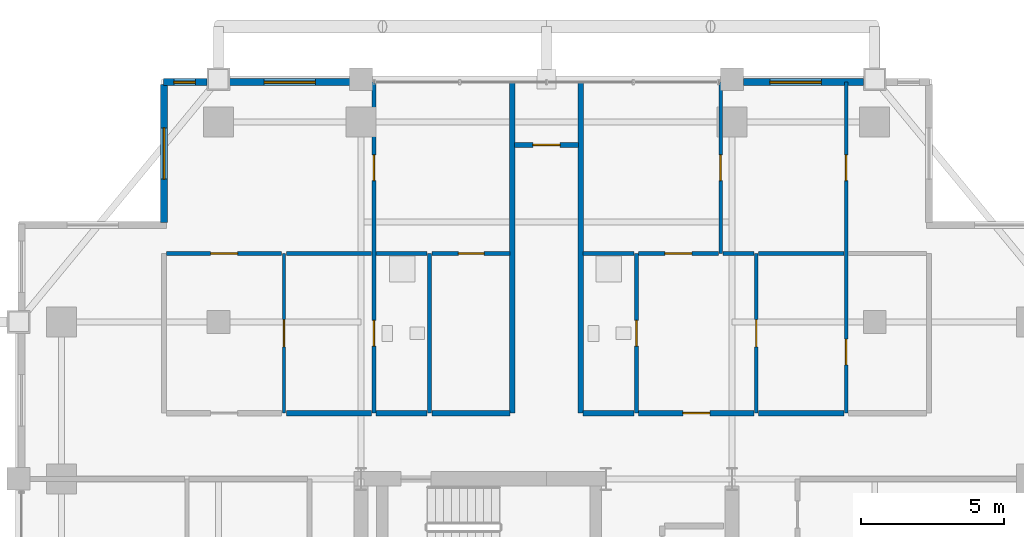
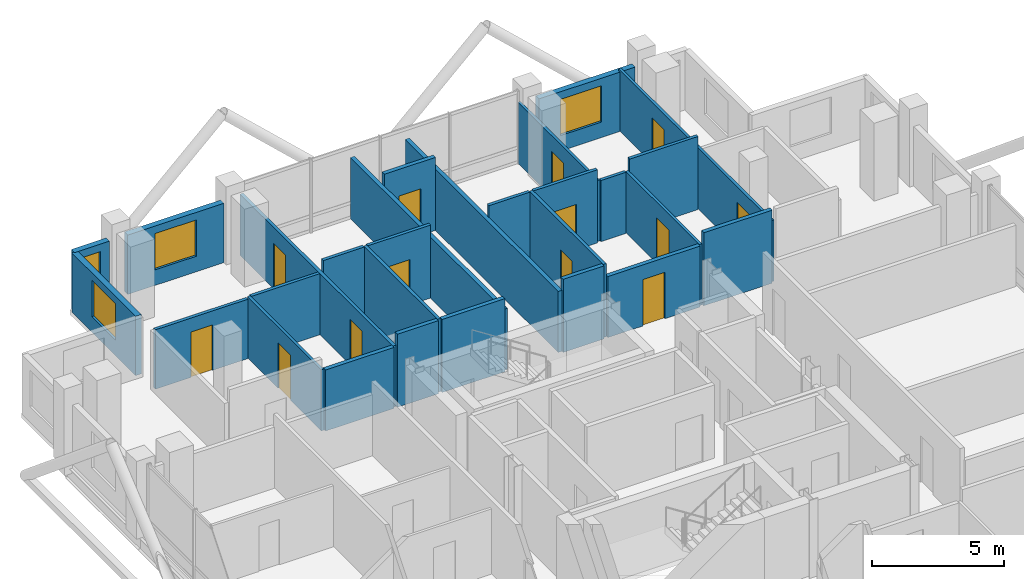
# One storey, part 23 of 26: 28 walls, 13 doors, 4 windows, 17 openings.
"""IFC4 building model written with IfcOpenShell, lengths in metres."""

from ifc_helpers import new_model, si_unit, direction, frame, frame_2d, origin, place, context, subcontext, project, spatial, rectangle, extrude, material, layer, layer_set, type_object, element, fill, save


model = new_model("IFC4")

# Units and contexts
model_context = context("Model", 3, precision=1e-05, world=origin(), true_north=direction((0.0, 1.0)))
body_context = subcontext(model_context, "Body", "Model", "MODEL_VIEW")
ifc_project = project(units=[si_unit("LENGTHUNIT", "METRE"), si_unit("AREAUNIT", "SQUARE_METRE"), si_unit("VOLUMEUNIT", "CUBIC_METRE"), si_unit("PLANEANGLEUNIT", "RADIAN"), si_unit("MASSUNIT", "GRAM", prefix="KILO")], contexts=[model_context])

# Site, building, storey
site_placement = place(None, origin())
site = spatial("IfcSite", under=ifc_project, at=site_placement, CompositionType="ELEMENT")
building_placement = place(site_placement, origin())
building = spatial("IfcBuilding", under=site, at=building_placement, Name="Barlavira Tower and Art Museum", CompositionType="ELEMENT")
storey_placement = place(building_placement, frame((0.0, 0.0, 187.199951171875)))
storey = spatial("IfcBuildingStorey", under=building, at=storey_placement, Name="L48", CompositionType="ELEMENT", Elevation=187.199951171875)

# Wall, opening, door
ifc_material_1 = material(Name="Gypsum acoustic stud partition", Category="gypsum")
ifc_layer_1 = layer(ifc_material_1, 0.1201171875, Name="Gypsum acoustic stud partition")
ifc_layer_set_1 = layer_set([ifc_layer_1], Name="Gypsum acoustic stud partition")
wall_type_1 = type_object("IfcWallType", Name="Apartment Internal Acoustic Partition 120", PredefinedType="PARTITIONING", material=ifc_layer_set_1)
wall_1_placement = place(storey_placement, frame((-9.199951171875, 9.800048828125, 0.0), z_axis=(0.0, 0.0, 1.0), x_axis=(0.0, 1.0, 0.0)))
wall_1 = element("IfcWall", 1, at=wall_1_placement, inside=storey, type_object=wall_type_1, Name="L48 Partition Wall 3", PredefinedType="PARTITIONING", context=body_context, shape_type="SweptSolid", body=[
    extrude(rectangle(XDim=5.599853515625, YDim=0.1201171875, at=frame_2d((2.7998046875, 0.0))), origin(), (0.0, 0.0, 1.0), 2.825927734375),
])
opening_1_placement = place(wall_1_placement, frame((2.324951171875, 0.0, 0.0)))
opening_1 = element("IfcOpeningElement", 2, at=opening_1_placement, cuts=wall_1, Name="Opening D-02", PredefinedType="OPENING", context=body_context, shape_type="SweptSolid", body=[
    extrude(rectangle(XDim=0.949951171875, YDim=2.10009765625, at=frame_2d((0.47509765625, 1.050048828125))), frame((0.0, 0.070068359375, 0.0), z_axis=(0.0, -1.0, 0.0), x_axis=(1.0, 0.0, 0.0)), (0.0, 0.0, 1.0), 0.14013671875),
])
ifc_material_2 = material(Name="Engineered coastal hardwood", Category="wood")
door_type_1 = type_object("IfcDoorType", Name="Living and Salon Glazed-Leaf Door 950x2100", OperationType="NOTDEFINED", PredefinedType="DOOR", material=ifc_material_2)
door_1_placement = place(opening_1_placement, origin())
door_1 = element("IfcDoor", 3, at=door_1_placement, inside=storey, type_object=door_type_1, Name="Apartment NW1 Kitchen Door", OperationType="SINGLE_SWING_LEFT", OverallHeight=2.10009765625, OverallWidth=0.949951171875, PredefinedType="DOOR", context=body_context, shape_type="SweptSolid", body=[
    extrude(rectangle(XDim=0.949951171875, YDim=2.10009765625, at=frame_2d((0.47509765625, 1.050048828125))), frame((0.0, 0.02490234375, 0.0), z_axis=(0.0, -1.0, 0.0), x_axis=(1.0, 0.0, 0.0)), (0.0, 0.0, 1.0), 0.050048828125),
])
fill(opening_1, door_1)

wall_2_placement = place(storey_placement, frame((6.10009765625, 15.39990234375, 0.0), z_axis=(0.0, 0.0, 1.0), x_axis=(0.0, 1.0, 0.0)))
wall_2 = element("IfcWall", 4, at=wall_2_placement, inside=storey, type_object=wall_type_1, Name="L48 Partition Wall 19", PredefinedType="PARTITIONING", context=body_context, shape_type="SweptSolid", body=[
    extrude(rectangle(XDim=6.0, YDim=0.1201171875, at=frame_2d((3.0, 0.0))), origin(), (0.0, 0.0, 1.0), 2.825927734375),
])
opening_2_placement = place(wall_2_placement, frame((2.550048828125, 0.0, 0.0)))
opening_2 = element("IfcOpeningElement", 5, at=opening_2_placement, cuts=wall_2, Name="Opening D-01", PredefinedType="OPENING", context=body_context, shape_type="SweptSolid", body=[
    extrude(rectangle(XDim=0.89990234375, YDim=2.10009765625, at=frame_2d((0.449951171875, 1.050048828125))), frame((0.0, 0.070068359375, 0.0), z_axis=(0.0, -1.0, 0.0), x_axis=(1.0, 0.0, 0.0)), (0.0, 0.0, 1.0), 0.14013671875),
])
door_type_2 = type_object("IfcDoorType", Name="Internal Bedroom Timber Flush Door 900x2100", OperationType="NOTDEFINED", PredefinedType="DOOR", material=ifc_material_2)
door_2_placement = place(opening_2_placement, origin())
door_2 = element("IfcDoor", 6, at=door_2_placement, inside=storey, type_object=door_type_2, Name="Apartment NE1 Bedroom 1 Door", OperationType="SINGLE_SWING_LEFT", OverallHeight=2.10009765625, OverallWidth=0.89990234375, PredefinedType="DOOR", context=body_context, shape_type="SweptSolid", body=[
    extrude(rectangle(XDim=0.89990234375, YDim=2.10009765625, at=frame_2d((0.449951171875, 1.050048828125))), frame((0.0, 0.02490234375, 0.0), z_axis=(0.0, -1.0, 0.0), x_axis=(1.0, 0.0, 0.0)), (0.0, 0.0, 1.0), 0.050048828125),
])
fill(opening_2, door_2)

wall_3_placement = place(storey_placement, frame((7.35009765625, 9.800048828125, 0.0), z_axis=(0.0, 0.0, 1.0), x_axis=(0.0, 1.0, 0.0)))
wall_3 = element("IfcWall", 7, at=wall_3_placement, inside=storey, type_object=wall_type_1, Name="L48 Partition Wall 21", PredefinedType="PARTITIONING", context=body_context, shape_type="SweptSolid", body=[
    extrude(rectangle(XDim=5.599853515625, YDim=0.1201171875, at=frame_2d((2.7998046875, 0.0))), origin(), (0.0, 0.0, 1.0), 2.825927734375),
])
opening_3_placement = place(wall_3_placement, frame((2.324951171875, 0.0, 0.0)))
opening_3 = element("IfcOpeningElement", 8, at=opening_3_placement, cuts=wall_3, Name="Opening D-02", PredefinedType="OPENING", context=body_context, shape_type="SweptSolid", body=[
    extrude(rectangle(XDim=0.949951171875, YDim=2.10009765625, at=frame_2d((0.47509765625, 1.050048828125))), frame((0.0, 0.070068359375, 0.0), z_axis=(0.0, -1.0, 0.0), x_axis=(1.0, 0.0, 0.0)), (0.0, 0.0, 1.0), 0.14013671875),
])
door_3_placement = place(opening_3_placement, origin())
door_3 = element("IfcDoor", 9, at=door_3_placement, inside=storey, type_object=door_type_1, Name="Apartment NE1 Kitchen Door", OperationType="SINGLE_SWING_RIGHT", OverallHeight=2.10009765625, OverallWidth=0.949951171875, PredefinedType="DOOR", context=body_context, shape_type="SweptSolid", body=[
    extrude(rectangle(XDim=0.949951171875, YDim=2.10009765625, at=frame_2d((0.47509765625, 1.050048828125))), frame((0.0, 0.02490234375, 0.0), z_axis=(0.0, -1.0, 0.0), x_axis=(1.0, 0.0, 0.0)), (0.0, 0.0, 1.0), 0.050048828125),
])
fill(opening_3, door_3)

# Wall, openings, doors
wall_4_placement = place(storey_placement, frame((10.5, 9.800048828125, 0.0), z_axis=(0.0, 0.0, 1.0), x_axis=(0.0, 1.0, 0.0)))
wall_4 = element("IfcWall", 10, at=wall_4_placement, inside=storey, type_object=wall_type_1, Name="L48 Partition Wall 24", PredefinedType="PARTITIONING", context=body_context, shape_type="SweptSolid", body=[
    extrude(rectangle(XDim=11.599853515625, YDim=0.1201171875, at=frame_2d((5.7998046875, 0.0))), origin(), (0.0, 0.0, 1.0), 2.825927734375),
])
opening_4_placement = place(wall_4_placement, frame((1.694091796875, 0.0, 0.0)))
opening_4 = element("IfcOpeningElement", 11, at=opening_4_placement, cuts=wall_4, Name="Opening D-01", PredefinedType="OPENING", context=body_context, shape_type="SweptSolid", body=[
    extrude(rectangle(XDim=0.89990234375, YDim=2.10009765625, at=frame_2d((0.449951171875, 1.050048828125))), frame((0.0, 0.070068359375, 0.0), z_axis=(0.0, -1.0, 0.0), x_axis=(1.0, 0.0, 0.0)), (0.0, 0.0, 1.0), 0.14013671875),
])
opening_5_placement = place(wall_4_placement, frame((8.14990234375, 0.0, 0.0)))
opening_5 = element("IfcOpeningElement", 12, at=opening_5_placement, cuts=wall_4, Name="Opening D-01", PredefinedType="OPENING", context=body_context, shape_type="SweptSolid", body=[
    extrude(rectangle(XDim=0.89990234375, YDim=2.10009765625, at=frame_2d((0.449951171875, 1.050048828125))), frame((0.0, 0.070068359375, 0.0), z_axis=(0.0, -1.0, 0.0), x_axis=(1.0, 0.0, 0.0)), (0.0, 0.0, 1.0), 0.14013671875),
])
door_4_placement = place(opening_4_placement, origin())
door_4 = element("IfcDoor", 13, at=door_4_placement, inside=storey, type_object=door_type_2, Name="Apartment NE1 Walk-In Dressing Room Door", OperationType="SINGLE_SWING_LEFT", OverallHeight=2.10009765625, OverallWidth=0.89990234375, PredefinedType="DOOR", context=body_context, shape_type="SweptSolid", body=[
    extrude(rectangle(XDim=0.89990234375, YDim=2.10009765625, at=frame_2d((0.449951171875, 1.050048828125))), frame((0.0, 0.02490234375, 0.0), z_axis=(0.0, -1.0, 0.0), x_axis=(1.0, 0.0, 0.0)), (0.0, 0.0, 1.0), 0.050048828125),
])
fill(opening_4, door_4)
door_5_placement = place(opening_5_placement, origin())
door_5 = element("IfcDoor", 14, at=door_5_placement, inside=storey, type_object=door_type_2, Name="Apartment NE1 Bedroom 2 Door", OperationType="SINGLE_SWING_RIGHT", OverallHeight=2.10009765625, OverallWidth=0.89990234375, PredefinedType="DOOR", context=body_context, shape_type="SweptSolid", body=[
    extrude(rectangle(XDim=0.89990234375, YDim=2.10009765625, at=frame_2d((0.449951171875, 1.050048828125))), frame((0.0, 0.02490234375, 0.0), z_axis=(0.0, -1.0, 0.0), x_axis=(1.0, 0.0, 0.0)), (0.0, 0.0, 1.0), 0.050048828125),
])
fill(opening_5, door_5)

# Walls
ifc_layer_2 = layer(ifc_material_1, 0.179931640625, Name="Gypsum acoustic stud partition")
ifc_layer_set_2 = layer_set([ifc_layer_2], Name="Gypsum acoustic stud partition")
wall_type_2 = type_object("IfcWallType", Name="Inter-Tenancy Party Partition Wall 180", PredefinedType="PARTITIONING", material=ifc_layer_set_2)
for number, where, z_axis, x_axis, name in (
    (15, (-1.199951171875, 9.800048828125, 0.0), (0.0, 0.0, 1.0), (0.0, 1.0, 0.0), "L48 Partition Wall 12"),
    (16, (1.199951171875, 9.800048828125, 0.0), (0.0, 0.0, 1.0), (0.0, 1.0, 0.0), "L48 Partition Wall 14"),
):
    element("IfcWall", number, at=place(storey_placement, frame(where, z_axis=z_axis, x_axis=x_axis)), inside=storey, type_object=wall_type_2, Name=name, PredefinedType="PARTITIONING", context=body_context, shape_type="SweptSolid", body=[
        extrude(rectangle(XDim=11.599853515625, YDim=0.179931640625, at=frame_2d((5.7998046875, 0.0))), origin(), (0.0, 0.0, 1.0), 2.825927734375),
    ])
wall_5_placement = place(storey_placement, frame((-9.1201171875, 9.800048828125, 0.0), z_axis=(0.0, 0.0, 1.0), x_axis=(1.0, 0.0, 0.0)))
element("IfcWall", 17, at=wall_5_placement, inside=storey, type_object=wall_type_2, Name="L48 Partition Wall 59", PredefinedType="PARTITIONING", context=body_context, shape_type="SweptSolid", body=[
    extrude(rectangle(XDim=2.990234375, YDim=0.179931640625, at=frame_2d((1.4951171875, 0.0))), origin(), (0.0, 0.0, 1.0), 2.825927734375),
])
wall_6_placement = place(storey_placement, frame((-5.969970703125, 9.800048828125, 0.0), z_axis=(0.0, 0.0, 1.0), x_axis=(1.0, 0.0, 0.0)))
element("IfcWall", 18, at=wall_6_placement, inside=storey, type_object=wall_type_2, Name="L48 Partition Wall 60", PredefinedType="PARTITIONING", context=body_context, shape_type="SweptSolid", body=[
    extrude(rectangle(XDim=1.7900390625, YDim=0.179931640625, at=frame_2d((0.89501953125, 0.0))), origin(), (0.0, 0.0, 1.0), 3.380126953125),
])
wall_7_placement = place(storey_placement, frame((-4.02001953125, 9.800048828125, 0.0), z_axis=(0.0, 0.0, 1.0), x_axis=(1.0, 0.0, 0.0)))
element("IfcWall", 19, at=wall_7_placement, inside=storey, type_object=wall_type_2, Name="L48 Partition Wall 61", PredefinedType="PARTITIONING", context=body_context, shape_type="SweptSolid", body=[
    extrude(rectangle(XDim=2.739990234375, YDim=0.179931640625, at=frame_2d((1.3701171875, 0.0))), origin(), (0.0, 0.0, 1.0), 3.380126953125),
])
wall_8_placement = place(storey_placement, frame((1.280029296875, 9.800048828125, 0.0), z_axis=(0.0, 0.0, 1.0), x_axis=(1.0, 0.0, 0.0)))
element("IfcWall", 20, at=wall_8_placement, inside=storey, type_object=wall_type_2, Name="L48 Partition Wall 62", PredefinedType="PARTITIONING", context=body_context, shape_type="SweptSolid", body=[
    extrude(rectangle(XDim=1.7900390625, YDim=0.179931640625, at=frame_2d((0.89501953125, 0.0))), origin(), (0.0, 0.0, 1.0), 3.380126953125),
])

# Wall, opening, door
wall_9_placement = place(storey_placement, frame((3.22998046875, 9.800048828125, 0.0), z_axis=(0.0, 0.0, 1.0), x_axis=(1.0, 0.0, 0.0)))
wall_9 = element("IfcWall", 21, at=wall_9_placement, inside=storey, type_object=wall_type_2, Name="L48 Partition Wall 63", PredefinedType="PARTITIONING", context=body_context, shape_type="SweptSolid", body=[
    extrude(rectangle(XDim=4.0400390625, YDim=0.179931640625, at=frame_2d((2.02001953125, 0.0))), origin(), (0.0, 0.0, 1.0), 2.825927734375),
])
opening_6_placement = place(wall_9_placement, frame((1.544921875, 0.0, 0.0)))
opening_6 = element("IfcOpeningElement", 22, at=opening_6_placement, cuts=wall_9, Name="Opening FD-60", PredefinedType="OPENING", context=body_context, shape_type="SweptSolid", body=[
    extrude(rectangle(XDim=0.949951171875, YDim=2.14990234375, at=frame_2d((0.47509765625, 1.074951171875))), frame((0.0, 0.10009765625, 0.0), z_axis=(0.0, -1.0, 0.0), x_axis=(1.0, 0.0, 0.0)), (0.0, 0.0, 1.0), 0.199951171875),
])
ifc_material_3 = material(Name="Brushed stainless steel", Category="steel")
door_type_3 = type_object("IfcDoorType", Name="Apartment Entrance and Riser Fire Door 950x2150 FD60S", OperationType="NOTDEFINED", PredefinedType="DOOR", material=ifc_material_3)
door_6_placement = place(opening_6_placement, origin())
door_6 = element("IfcDoor", 23, at=door_6_placement, inside=storey, type_object=door_type_3, Name="Apartment Entrance Hall NE1 Door", OperationType="SINGLE_SWING_LEFT", OverallHeight=2.14990234375, OverallWidth=0.949951171875, PredefinedType="DOOR", context=body_context, shape_type="SweptSolid", body=[
    extrude(rectangle(XDim=0.949951171875, YDim=2.14990234375, at=frame_2d((0.47509765625, 1.074951171875))), frame((0.0, 0.02490234375, 0.0), z_axis=(0.0, -1.0, 0.0), x_axis=(1.0, 0.0, 0.0)), (0.0, 0.0, 1.0), 0.050048828125),
])
fill(opening_6, door_6)

# Wall
wall_10_placement = place(storey_placement, frame((7.429931640625, 9.800048828125, 0.0), z_axis=(0.0, 0.0, 1.0), x_axis=(1.0, 0.0, 0.0)))
element("IfcWall", 24, at=wall_10_placement, inside=storey, type_object=wall_type_2, Name="L48 Partition Wall 64", PredefinedType="PARTITIONING", context=body_context, shape_type="SweptSolid", body=[
    extrude(rectangle(XDim=2.989990234375, YDim=0.179931640625, at=frame_2d((1.4951171875, 0.0))), origin(), (0.0, 0.0, 1.0), 3.380126953125),
])

# Wall, opening, door
wall_11_placement = place(storey_placement, frame((-1.1201171875, 19.199951171875, 0.0), z_axis=(0.0, 0.0, 1.0), x_axis=(1.0, 0.0, 0.0)))
wall_11 = element("IfcWall", 25, at=wall_11_placement, inside=storey, type_object=wall_type_2, Name="L48 Partition Wall 75", PredefinedType="PARTITIONING", context=body_context, shape_type="SweptSolid", body=[
    extrude(rectangle(XDim=2.240234375, YDim=0.179931640625, at=frame_2d((1.1201171875, 0.0))), origin(), (0.0, 0.0, 1.0), 3.380126953125),
])
opening_7_placement = place(wall_11_placement, frame((0.64501953125, 0.0, 0.0)))
opening_7 = element("IfcOpeningElement", 26, at=opening_7_placement, cuts=wall_11, Name="Opening FD-60", PredefinedType="OPENING", context=body_context, shape_type="SweptSolid", body=[
    extrude(rectangle(XDim=0.949951171875, YDim=2.14990234375, at=frame_2d((0.47509765625, 1.074951171875))), frame((0.0, 0.10009765625, 0.0), z_axis=(0.0, -1.0, 0.0), x_axis=(1.0, 0.0, 0.0)), (0.0, 0.0, 1.0), 0.199951171875),
])
door_7_placement = place(opening_7_placement, origin())
door_7 = element("IfcDoor", 27, at=door_7_placement, inside=storey, type_object=door_type_3, Name="L48 North Ocean Alcove Door", OperationType="SINGLE_SWING_LEFT", OverallHeight=2.14990234375, OverallWidth=0.949951171875, PredefinedType="DOOR", context=body_context, shape_type="SweptSolid", body=[
    extrude(rectangle(XDim=0.949951171875, YDim=2.14990234375, at=frame_2d((0.47509765625, 1.074951171875))), frame((0.0, 0.02490234375, 0.0), z_axis=(0.0, -1.0, 0.0), x_axis=(1.0, 0.0, 0.0)), (0.0, 0.0, 1.0), 0.050048828125),
])
fill(opening_7, door_7)

# Wall, openings, doors
ifc_layer_3 = layer(ifc_material_1, 0.139892578125, Name="Gypsum acoustic stud partition")
ifc_layer_set_3 = layer_set([ifc_layer_3], Name="Gypsum acoustic stud partition")
wall_type_3 = type_object("IfcWallType", Name="Moisture-Resistant Bathroom Partition 140", PredefinedType="PARTITIONING", material=ifc_layer_set_3)
wall_12_placement = place(storey_placement, frame((-6.050048828125, 9.800048828125, 0.0), z_axis=(0.0, 0.0, 1.0), x_axis=(0.0, 1.0, 0.0)))
wall_12 = element("IfcWall", 28, at=wall_12_placement, inside=storey, type_object=wall_type_3, Name="L48 Partition Wall 7", PredefinedType="PARTITIONING", context=body_context, shape_type="SweptSolid", body=[
    extrude(rectangle(XDim=11.599853515625, YDim=0.139892578125, at=frame_2d((5.7998046875, 0.0))), origin(), (0.0, 0.0, 1.0), 2.825927734375),
])
opening_8_placement = place(wall_12_placement, frame((2.35009765625, 0.0, 0.0)))
opening_8 = element("IfcOpeningElement", 29, at=opening_8_placement, cuts=wall_12, Name="Opening D-WC", PredefinedType="OPENING", context=body_context, shape_type="SweptSolid", body=[
    extrude(rectangle(XDim=0.89990234375, YDim=2.10009765625, at=frame_2d((0.449951171875, 1.050048828125))), frame((0.0, 0.080078125, 0.0), z_axis=(0.0, -1.0, 0.0), x_axis=(1.0, 0.0, 0.0)), (0.0, 0.0, 1.0), 0.159912109375),
])
opening_9_placement = place(wall_12_placement, frame((8.14990234375, 0.0, 0.0)))
opening_9 = element("IfcOpeningElement", 30, at=opening_9_placement, cuts=wall_12, Name="Opening D-01", PredefinedType="OPENING", context=body_context, shape_type="SweptSolid", body=[
    extrude(rectangle(XDim=0.89990234375, YDim=2.10009765625, at=frame_2d((0.449951171875, 1.050048828125))), frame((0.0, 0.080078125, 0.0), z_axis=(0.0, -1.0, 0.0), x_axis=(1.0, 0.0, 0.0)), (0.0, 0.0, 1.0), 0.159912109375),
])
door_type_4 = type_object("IfcDoorType", Name="Accessible Bathroom Flush Door 900x2100", OperationType="NOTDEFINED", PredefinedType="DOOR", material=ifc_material_2)
door_8_placement = place(opening_8_placement, origin())
door_8 = element("IfcDoor", 31, at=door_8_placement, inside=storey, type_object=door_type_4, Name="Apartment NW1 Hall Bathroom Door", OperationType="SINGLE_SWING_RIGHT", OverallHeight=2.10009765625, OverallWidth=0.89990234375, PredefinedType="DOOR", context=body_context, shape_type="SweptSolid", body=[
    extrude(rectangle(XDim=0.89990234375, YDim=2.10009765625, at=frame_2d((0.449951171875, 1.050048828125))), frame((0.0, 0.02490234375, 0.0), z_axis=(0.0, -1.0, 0.0), x_axis=(1.0, 0.0, 0.0)), (0.0, 0.0, 1.0), 0.050048828125),
])
fill(opening_8, door_8)
door_9_placement = place(opening_9_placement, origin())
door_9 = element("IfcDoor", 32, at=door_9_placement, inside=storey, type_object=door_type_2, Name="Apartment NW1 Bedroom 1 Door", OperationType="SINGLE_SWING_LEFT", OverallHeight=2.10009765625, OverallWidth=0.89990234375, PredefinedType="DOOR", context=body_context, shape_type="SweptSolid", body=[
    extrude(rectangle(XDim=0.89990234375, YDim=2.10009765625, at=frame_2d((0.449951171875, 1.050048828125))), frame((0.0, 0.02490234375, 0.0), z_axis=(0.0, -1.0, 0.0), x_axis=(1.0, 0.0, 0.0)), (0.0, 0.0, 1.0), 0.050048828125),
])
fill(opening_9, door_9)

# Wall
wall_13_placement = place(storey_placement, frame((-4.10009765625, 9.800048828125, 0.0), z_axis=(0.0, 0.0, 1.0), x_axis=(0.0, 1.0, 0.0)))
element("IfcWall", 33, at=wall_13_placement, inside=storey, type_object=wall_type_3, Name="L48 Partition Wall 9", PredefinedType="PARTITIONING", context=body_context, shape_type="SweptSolid", body=[
    extrude(rectangle(XDim=5.599853515625, YDim=0.139892578125, at=frame_2d((2.7998046875, 0.0))), origin(), (0.0, 0.0, 1.0), 3.380126953125),
])

# Wall, opening, door
wall_14_placement = place(storey_placement, frame((3.14990234375, 9.800048828125, 0.0), z_axis=(0.0, 0.0, 1.0), x_axis=(0.0, 1.0, 0.0)))
wall_14 = element("IfcWall", 34, at=wall_14_placement, inside=storey, type_object=wall_type_3, Name="L48 Partition Wall 16", PredefinedType="PARTITIONING", context=body_context, shape_type="SweptSolid", body=[
    extrude(rectangle(XDim=5.599853515625, YDim=0.139892578125, at=frame_2d((2.7998046875, 0.0))), origin(), (0.0, 0.0, 1.0), 3.380126953125),
])
opening_10_placement = place(wall_14_placement, frame((2.35009765625, 0.0, 0.0)))
opening_10 = element("IfcOpeningElement", 35, at=opening_10_placement, cuts=wall_14, Name="Opening D-WC", PredefinedType="OPENING", context=body_context, shape_type="SweptSolid", body=[
    extrude(rectangle(XDim=0.89990234375, YDim=2.10009765625, at=frame_2d((0.449951171875, 1.050048828125))), frame((0.0, 0.080078125, 0.0), z_axis=(0.0, -1.0, 0.0), x_axis=(1.0, 0.0, 0.0)), (0.0, 0.0, 1.0), 0.159912109375),
])
door_10_placement = place(opening_10_placement, origin())
door_10 = element("IfcDoor", 36, at=door_10_placement, inside=storey, type_object=door_type_4, Name="Apartment NE1 Hall Bathroom Door", OperationType="SINGLE_SWING_RIGHT", OverallHeight=2.10009765625, OverallWidth=0.89990234375, PredefinedType="DOOR", context=body_context, shape_type="SweptSolid", body=[
    extrude(rectangle(XDim=0.89990234375, YDim=2.10009765625, at=frame_2d((0.449951171875, 1.050048828125))), frame((0.0, 0.02490234375, 0.0), z_axis=(0.0, -1.0, 0.0), x_axis=(1.0, 0.0, 0.0)), (0.0, 0.0, 1.0), 0.050048828125),
])
fill(opening_10, door_10)

wall_15_placement = place(storey_placement, frame((-13.320068359375, 15.39990234375, 0.0), z_axis=(0.0, 0.0, 1.0), x_axis=(1.0, 0.0, 0.0)))
wall_15 = element("IfcWall", 37, at=wall_15_placement, inside=storey, type_object=wall_type_3, Name="L48 Partition Wall 66", PredefinedType="PARTITIONING", context=body_context, shape_type="SweptSolid", body=[
    extrude(rectangle(XDim=4.0400390625, YDim=0.139892578125, at=frame_2d((2.02001953125, 0.0))), origin(), (0.0, 0.0, 1.0), 2.748046875),
])
opening_11_placement = place(wall_15_placement, frame((1.544921875, 0.0, 0.0)))
opening_11 = element("IfcOpeningElement", 38, at=opening_11_placement, cuts=wall_15, Name="Opening D-02", PredefinedType="OPENING", context=body_context, shape_type="SweptSolid", body=[
    extrude(rectangle(XDim=0.949951171875, YDim=2.10009765625, at=frame_2d((0.47509765625, 1.050048828125))), frame((0.0, 0.080078125, 0.0), z_axis=(0.0, -1.0, 0.0), x_axis=(1.0, 0.0, 0.0)), (0.0, 0.0, 1.0), 0.159912109375),
])
door_11_placement = place(opening_11_placement, origin())
door_11 = element("IfcDoor", 39, at=door_11_placement, inside=storey, type_object=door_type_1, Name="Apartment NW1 Living Lounge Door", OperationType="SINGLE_SWING_RIGHT", OverallHeight=2.10009765625, OverallWidth=0.949951171875, PredefinedType="DOOR", context=body_context, shape_type="SweptSolid", body=[
    extrude(rectangle(XDim=0.949951171875, YDim=2.10009765625, at=frame_2d((0.47509765625, 1.050048828125))), frame((0.0, 0.02490234375, 0.0), z_axis=(0.0, -1.0, 0.0), x_axis=(1.0, 0.0, 0.0)), (0.0, 0.0, 1.0), 0.050048828125),
])
fill(opening_11, door_11)

# Walls
wall_16_placement = place(storey_placement, frame((-9.1201171875, 15.39990234375, 0.0), z_axis=(0.0, 0.0, 1.0), x_axis=(1.0, 0.0, 0.0)))
element("IfcWall", 40, at=wall_16_placement, inside=storey, type_object=wall_type_3, Name="L48 Partition Wall 67", PredefinedType="PARTITIONING", context=body_context, shape_type="SweptSolid", body=[
    extrude(rectangle(XDim=2.990234375, YDim=0.139892578125, at=frame_2d((1.4951171875, 0.0))), origin(), (0.0, 0.0, 1.0), 2.825927734375),
])
wall_17_placement = place(storey_placement, frame((-5.969970703125, 15.39990234375, 0.0), z_axis=(0.0, 0.0, 1.0), x_axis=(1.0, 0.0, 0.0)))
element("IfcWall", 41, at=wall_17_placement, inside=storey, type_object=wall_type_3, Name="L48 Partition Wall 68", PredefinedType="PARTITIONING", context=body_context, shape_type="SweptSolid", body=[
    extrude(rectangle(XDim=1.7900390625, YDim=0.139892578125, at=frame_2d((0.89501953125, 0.0))), origin(), (0.0, 0.0, 1.0), 3.380126953125),
])

# Wall, opening, door
wall_18_placement = place(storey_placement, frame((-4.02001953125, 15.39990234375, 0.0), z_axis=(0.0, 0.0, 1.0), x_axis=(1.0, 0.0, 0.0)))
wall_18 = element("IfcWall", 42, at=wall_18_placement, inside=storey, type_object=wall_type_3, Name="L48 Partition Wall 69", PredefinedType="PARTITIONING", context=body_context, shape_type="SweptSolid", body=[
    extrude(rectangle(XDim=2.739990234375, YDim=0.139892578125, at=frame_2d((1.3701171875, 0.0))), origin(), (0.0, 0.0, 1.0), 3.380126953125),
])
opening_12_placement = place(wall_18_placement, frame((0.929931640625, 0.0, 0.0)))
opening_12 = element("IfcOpeningElement", 43, at=opening_12_placement, cuts=wall_18, Name="Opening D-01", PredefinedType="OPENING", context=body_context, shape_type="SweptSolid", body=[
    extrude(rectangle(XDim=0.89990234375, YDim=2.10009765625, at=frame_2d((0.449951171875, 1.050048828125))), frame((0.0, 0.080078125, 0.0), z_axis=(0.0, -1.0, 0.0), x_axis=(1.0, 0.0, 0.0)), (0.0, 0.0, 1.0), 0.159912109375),
])
door_12_placement = place(opening_12_placement, origin())
door_12 = element("IfcDoor", 44, at=door_12_placement, inside=storey, type_object=door_type_2, Name="Apartment NW1 Walk-In Dressing Room Door", OperationType="SINGLE_SWING_LEFT", OverallHeight=2.10009765625, OverallWidth=0.89990234375, PredefinedType="DOOR", context=body_context, shape_type="SweptSolid", body=[
    extrude(rectangle(XDim=0.89990234375, YDim=2.10009765625, at=frame_2d((0.449951171875, 1.050048828125))), frame((0.0, 0.02490234375, 0.0), z_axis=(0.0, -1.0, 0.0), x_axis=(1.0, 0.0, 0.0)), (0.0, 0.0, 1.0), 0.050048828125),
])
fill(opening_12, door_12)

# Wall
wall_19_placement = place(storey_placement, frame((1.280029296875, 15.39990234375, 0.0), z_axis=(0.0, 0.0, 1.0), x_axis=(1.0, 0.0, 0.0)))
element("IfcWall", 45, at=wall_19_placement, inside=storey, type_object=wall_type_3, Name="L48 Partition Wall 70", PredefinedType="PARTITIONING", context=body_context, shape_type="SweptSolid", body=[
    extrude(rectangle(XDim=1.7900390625, YDim=0.139892578125, at=frame_2d((0.89501953125, 0.0))), origin(), (0.0, 0.0, 1.0), 3.380126953125),
])

# Wall, opening, door
wall_20_placement = place(storey_placement, frame((3.22998046875, 15.39990234375, 0.0), z_axis=(0.0, 0.0, 1.0), x_axis=(1.0, 0.0, 0.0)))
wall_20 = element("IfcWall", 46, at=wall_20_placement, inside=storey, type_object=wall_type_3, Name="L48 Partition Wall 71", PredefinedType="PARTITIONING", context=body_context, shape_type="SweptSolid", body=[
    extrude(rectangle(XDim=2.7900390625, YDim=0.139892578125, at=frame_2d((1.39501953125, 0.0))), origin(), (0.0, 0.0, 1.0), 3.380126953125),
])
opening_13_placement = place(wall_20_placement, frame((0.9150390625, 0.0, 0.0)))
opening_13 = element("IfcOpeningElement", 47, at=opening_13_placement, cuts=wall_20, Name="Opening D-02", PredefinedType="OPENING", context=body_context, shape_type="SweptSolid", body=[
    extrude(rectangle(XDim=0.949951171875, YDim=2.10009765625, at=frame_2d((0.47509765625, 1.050048828125))), frame((0.0, 0.080078125, 0.0), z_axis=(0.0, -1.0, 0.0), x_axis=(1.0, 0.0, 0.0)), (0.0, 0.0, 1.0), 0.159912109375),
])
door_13_placement = place(opening_13_placement, origin())
door_13 = element("IfcDoor", 48, at=door_13_placement, inside=storey, type_object=door_type_1, Name="Apartment NE1 Living Lounge Door", OperationType="SINGLE_SWING_RIGHT", OverallHeight=2.10009765625, OverallWidth=0.949951171875, PredefinedType="DOOR", context=body_context, shape_type="SweptSolid", body=[
    extrude(rectangle(XDim=0.949951171875, YDim=2.10009765625, at=frame_2d((0.47509765625, 1.050048828125))), frame((0.0, 0.02490234375, 0.0), z_axis=(0.0, -1.0, 0.0), x_axis=(1.0, 0.0, 0.0)), (0.0, 0.0, 1.0), 0.050048828125),
])
fill(opening_13, door_13)

# Walls
wall_21_placement = place(storey_placement, frame((6.179931640625, 15.39990234375, 0.0), z_axis=(0.0, 0.0, 1.0), x_axis=(1.0, 0.0, 0.0)))
element("IfcWall", 49, at=wall_21_placement, inside=storey, type_object=wall_type_3, Name="L48 Partition Wall 72", PredefinedType="PARTITIONING", context=body_context, shape_type="SweptSolid", body=[
    extrude(rectangle(XDim=1.090087890625, YDim=0.139892578125, at=frame_2d((0.544921875, 0.0))), origin(), (0.0, 0.0, 1.0), 2.825927734375),
])
wall_22_placement = place(storey_placement, frame((7.429931640625, 15.39990234375, 0.0), z_axis=(0.0, 0.0, 1.0), x_axis=(1.0, 0.0, 0.0)))
element("IfcWall", 50, at=wall_22_placement, inside=storey, type_object=wall_type_3, Name="L48 Partition Wall 73", PredefinedType="PARTITIONING", context=body_context, shape_type="SweptSolid", body=[
    extrude(rectangle(XDim=2.989990234375, YDim=0.139892578125, at=frame_2d((1.4951171875, 0.0))), origin(), (0.0, 0.0, 1.0), 3.380126953125),
])

# Wall, opening, window
ifc_material_4 = material(Name="Precast concrete C40", Category="concrete")
ifc_layer_4 = layer(ifc_material_4, 0.25, Name="Precast concrete C40")
ifc_layer_set_4 = layer_set([ifc_layer_4], Name="Precast concrete C40")
wall_type_4 = type_object("IfcWallType", Name="Notched Corner Spandrel Wall 250 Precast Concrete C40", PredefinedType="SOLIDWALL", material=ifc_layer_set_4)
wall_23_placement = place(storey_placement, frame((11.10498046875, 21.39990234375, 0.0), z_axis=(0.0, 0.0, 1.0), x_axis=(-1.0, 0.0, 0.0)))
wall_23 = element("IfcWall", 51, at=wall_23_placement, inside=storey, type_object=wall_type_4, Name="L48 Coastal Facade Pier Wall CW3-L48-N-2", PredefinedType="SOLIDWALL", context=body_context, shape_type="SweptSolid", body=[
    extrude(rectangle(XDim=4.2099609375, YDim=0.25, at=frame_2d((2.10498046875, 0.0))), origin(), (0.0, 0.0, 1.0), 2.748046875),
])
opening_14_placement = place(wall_23_placement, frame((1.47509765625, 0.0, 0.719970703125)))
opening_14 = element("IfcOpeningElement", 52, at=opening_14_placement, cuts=wall_23, Name="Opening WN-01", PredefinedType="OPENING", context=body_context, shape_type="SweptSolid", body=[
    extrude(rectangle(XDim=1.800048828125, YDim=1.679931640625, at=frame_2d((0.89990234375, 0.83984375))), frame((0.0, 0.135009765625, 0.0), z_axis=(0.0, -1.0, 0.0), x_axis=(1.0, 0.0, 0.0)), (0.0, 0.0, 1.0), 0.27001953125),
])
ifc_material_5 = material(Name="Low-iron coastal laminated glass", Category="glass")
window_type_1 = type_object("IfcWindowType", Name="Recessed Notch Corner Punch Window 1800x1680", PartitioningType="SINGLE_PANEL", PredefinedType="WINDOW", material=ifc_material_5)
window_1_placement = place(opening_14_placement, origin())
window_1 = element("IfcWindow", 53, at=window_1_placement, inside=storey, type_object=window_type_1, Name="L48 Punched Facade Window EWP-CW3-L48-N-2-1", OverallHeight=1.679931640625, OverallWidth=1.800048828125, PartitioningType="SINGLE_PANEL", PredefinedType="WINDOW", context=body_context, shape_type="SweptSolid", body=[
    extrude(rectangle(XDim=1.800048828125, YDim=1.679931640625, at=frame_2d((0.89990234375, 0.83984375))), frame((0.0, 0.030029296875, 0.0), z_axis=(0.0, -1.0, 0.0), x_axis=(1.0, 0.0, 0.0)), (0.0, 0.0, 1.0), 0.06005859375),
])
fill(opening_14, window_1)

wall_24_placement = place(storey_placement, frame((-6.89501953125, 21.39990234375, 0.0), z_axis=(0.0, 0.0, 1.0), x_axis=(-1.0, 0.0, 0.0)))
wall_24 = element("IfcWall", 54, at=wall_24_placement, inside=storey, type_object=wall_type_4, Name="L48 Coastal Facade Pier Wall CW3-L48-N-4", PredefinedType="SOLIDWALL", context=body_context, shape_type="SweptSolid", body=[
    extrude(rectangle(XDim=4.2099609375, YDim=0.25, at=frame_2d((2.10498046875, 0.0))), origin(), (0.0, 0.0, 1.0), 2.748046875),
])
opening_15_placement = place(wall_24_placement, frame((1.205078125, 0.0, 0.719970703125)))
opening_15 = element("IfcOpeningElement", 55, at=opening_15_placement, cuts=wall_24, Name="Opening WN-01", PredefinedType="OPENING", context=body_context, shape_type="SweptSolid", body=[
    extrude(rectangle(XDim=1.800048828125, YDim=1.679931640625, at=frame_2d((0.89990234375, 0.83984375))), frame((0.0, 0.135009765625, 0.0), z_axis=(0.0, -1.0, 0.0), x_axis=(1.0, 0.0, 0.0)), (0.0, 0.0, 1.0), 0.27001953125),
])
window_2_placement = place(opening_15_placement, origin())
window_2 = element("IfcWindow", 56, at=window_2_placement, inside=storey, type_object=window_type_1, Name="L48 Punched Facade Window EWP-CW3-L48-N-4-1", OverallHeight=1.679931640625, OverallWidth=1.800048828125, PartitioningType="SINGLE_PANEL", PredefinedType="WINDOW", context=body_context, shape_type="SweptSolid", body=[
    extrude(rectangle(XDim=1.800048828125, YDim=1.679931640625, at=frame_2d((0.89990234375, 0.83984375))), frame((0.0, 0.030029296875, 0.0), z_axis=(0.0, -1.0, 0.0), x_axis=(1.0, 0.0, 0.0)), (0.0, 0.0, 1.0), 0.06005859375),
])
fill(opening_15, window_2)

wall_25_placement = place(storey_placement, frame((-11.89501953125, 21.39990234375, 0.0), z_axis=(0.0, 0.0, 1.0), x_axis=(-1.0, 0.0, 0.0)))
wall_25 = element("IfcWall", 57, at=wall_25_placement, inside=storey, type_object=wall_type_4, Name="L48 Coastal Facade Pier Wall CW3-L48-N-5", PredefinedType="SOLIDWALL", context=body_context, shape_type="SweptSolid", body=[
    extrude(rectangle(XDim=1.530029296875, YDim=0.25, at=frame_2d((0.76513671875, 0.0))), origin(), (0.0, 0.0, 1.0), 2.748046875),
])
opening_16_placement = place(wall_25_placement, frame((0.407958984375, 0.0, 0.719970703125)))
opening_16 = element("IfcOpeningElement", 58, at=opening_16_placement, cuts=wall_25, Name="Opening WN-06", PredefinedType="OPENING", context=body_context, shape_type="SweptSolid", body=[
    extrude(rectangle(XDim=0.760009765625, YDim=1.679931640625, at=frame_2d((0.3798828125, 0.83984375))), frame((0.0, 0.135009765625, 0.0), z_axis=(0.0, -1.0, 0.0), x_axis=(1.0, 0.0, 0.0)), (0.0, 0.0, 1.0), 0.27001953125),
])
window_type_2 = type_object("IfcWindowType", Name="Recessed Narrow Pier Window 760x1680", PartitioningType="SINGLE_PANEL", PredefinedType="WINDOW", material=ifc_material_5)
window_3_placement = place(opening_16_placement, origin())
window_3 = element("IfcWindow", 59, at=window_3_placement, inside=storey, type_object=window_type_2, Name="L48 Punched Facade Window EWP-CW3-L48-N-5-1", OverallHeight=1.679931640625, OverallWidth=0.760009765625, PartitioningType="SINGLE_PANEL", PredefinedType="WINDOW", context=body_context, shape_type="SweptSolid", body=[
    extrude(rectangle(XDim=0.760009765625, YDim=1.679931640625, at=frame_2d((0.3798828125, 0.83984375))), frame((0.0, 0.030029296875, 0.0), z_axis=(0.0, -1.0, 0.0), x_axis=(1.0, 0.0, 0.0)), (0.0, 0.0, 1.0), 0.06005859375),
])
fill(opening_16, window_3)

wall_26_placement = place(storey_placement, frame((-13.39990234375, 21.320068359375, 0.0), z_axis=(0.0, 0.0, 1.0), x_axis=(0.0, -1.0, 0.0)))
wall_26 = element("IfcWall", 60, at=wall_26_placement, inside=storey, type_object=wall_type_4, Name="L48 Notch Corner Wall NW1", PredefinedType="SOLIDWALL", context=body_context, shape_type="SweptSolid", body=[
    extrude(rectangle(XDim=4.840087890625, YDim=0.25, at=frame_2d((2.419921875, 0.0))), origin(), (0.0, 0.0, 1.0), 2.748046875),
])
opening_17_placement = place(wall_26_placement, frame((1.52001953125, 0.0, 0.719970703125)))
opening_17 = element("IfcOpeningElement", 61, at=opening_17_placement, cuts=wall_26, Name="Opening WN-01", PredefinedType="OPENING", context=body_context, shape_type="SweptSolid", body=[
    extrude(rectangle(XDim=1.800048828125, YDim=1.679931640625, at=frame_2d((0.89990234375, 0.83984375))), frame((0.0, 0.135009765625, 0.0), z_axis=(0.0, -1.0, 0.0), x_axis=(1.0, 0.0, 0.0)), (0.0, 0.0, 1.0), 0.27001953125),
])
window_4_placement = place(opening_17_placement, origin())
window_4 = element("IfcWindow", 62, at=window_4_placement, inside=storey, type_object=window_type_1, Name="L48 Punched Facade Window EW-NTC-L48-NW1-1", OverallHeight=1.679931640625, OverallWidth=1.800048828125, PartitioningType="SINGLE_PANEL", PredefinedType="WINDOW", context=body_context, shape_type="SweptSolid", body=[
    extrude(rectangle(XDim=1.800048828125, YDim=1.679931640625, at=frame_2d((0.89990234375, 0.83984375))), frame((0.0, 0.030029296875, 0.0), z_axis=(0.0, -1.0, 0.0), x_axis=(1.0, 0.0, 0.0)), (0.0, 0.0, 1.0), 0.06005859375),
])
fill(opening_17, window_4)

save(model, "model.ifc")
